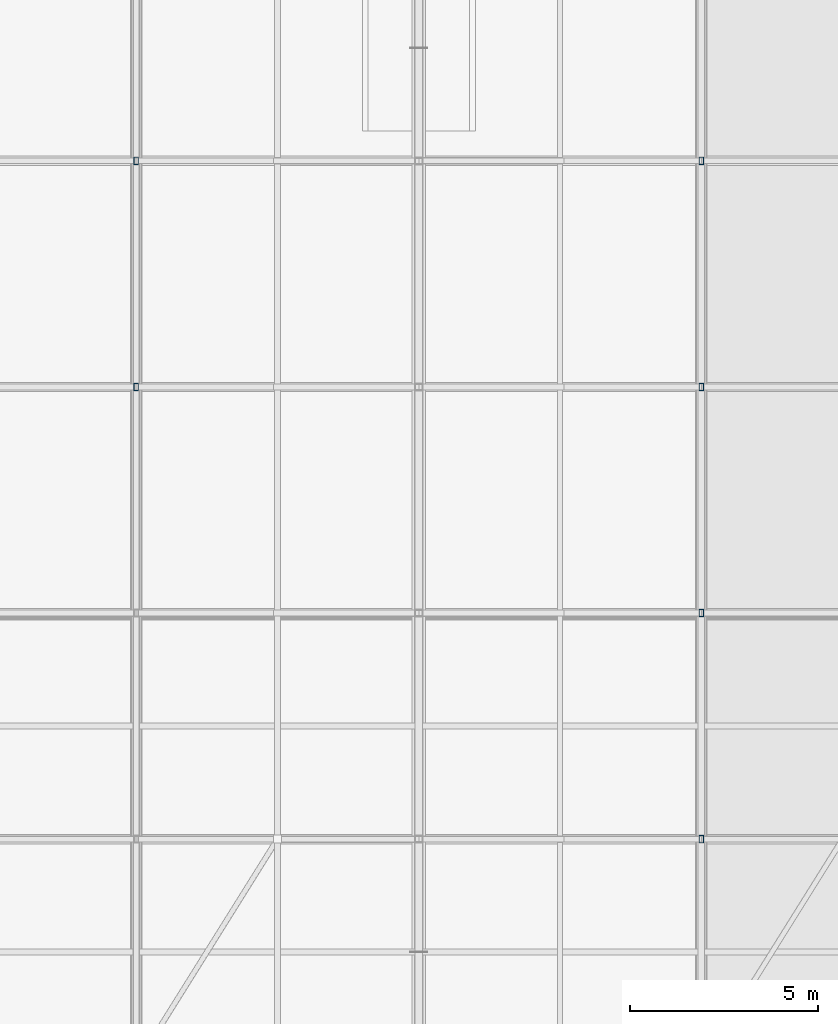
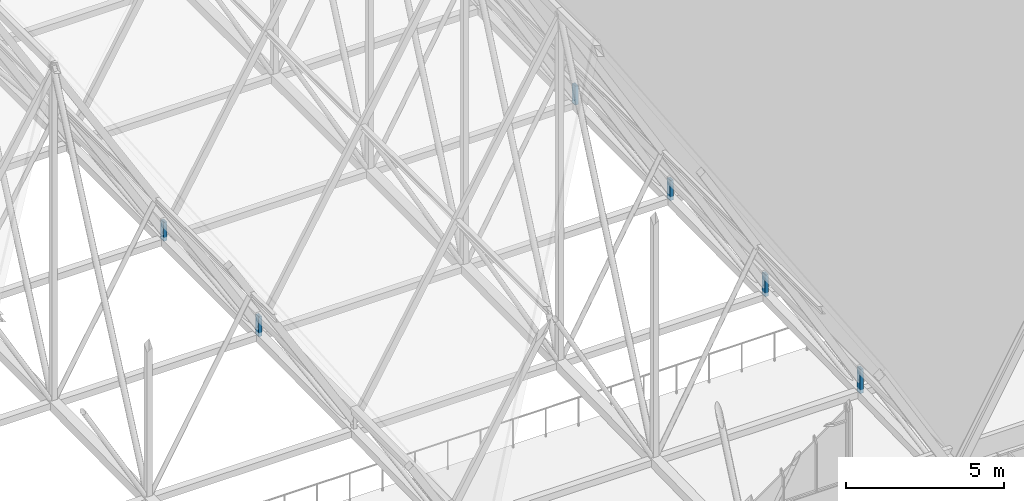
# One storey, part 249 of 324: 6 members.
"""IFC4 building model written with IfcOpenShell, lengths in metres."""

from ifc_helpers import new_model, si_unit, direction, frame, origin, origin_2d, place, context, subcontext, project, spatial, hollow_rectangle, extrude, material, material_profile, profile_set, type_object, element, save


model = new_model("IFC4")

# Units and contexts
model_context = context("Model", 3, precision=1e-05, world=origin(), true_north=direction((0.0, 1.0)))
body_context = subcontext(model_context, "Body", "Model", "MODEL_VIEW")
ifc_project = project(units=[si_unit("LENGTHUNIT", "METRE"), si_unit("AREAUNIT", "SQUARE_METRE"), si_unit("VOLUMEUNIT", "CUBIC_METRE"), si_unit("PLANEANGLEUNIT", "RADIAN"), si_unit("MASSUNIT", "GRAM", prefix="KILO")], contexts=[model_context])

# Site, building, storey
site_placement = place(None, origin())
site = spatial("IfcSite", under=ifc_project, at=site_placement, CompositionType="ELEMENT")
building_placement = place(site_placement, origin())
building = spatial("IfcBuilding", under=site, at=building_placement, Name="Solvenia Promenade Tram Depot", CompositionType="ELEMENT")
storey_placement = place(building_placement, frame((0.0, 0.0, 4.5)))
storey = spatial("IfcBuildingStorey", under=building, at=storey_placement, Name="L01", CompositionType="ELEMENT", Elevation=4.5)

# Members
ifc_material = material(Name="Structural steel ASTM A500 Gr. C", Category="steel")
ifc_material_profile = material_profile(ifc_material, hollow_rectangle(XDim=0.1201171875, YDim=0.199951171875, WallThickness=0.008056640625, at=origin_2d()), Name="HSS200x120x8", Category="steel")
ifc_profile_set = profile_set([ifc_material_profile], Name="Structural steel ASTM A500 Gr. C")
member_type = type_object("IfcMemberType", Name="Post-HSS200x120x8", PredefinedType="POST", material=ifc_profile_set)
member_1_placement = place(storey_placement, frame((45.0, 84.0, 2.614013671875), z_axis=(0.0, 0.0, 1.0), x_axis=(1.0, 0.0, 0.0)))
element("IfcMember", 1, at=member_1_placement, inside=storey, type_object=member_type, Name="Arched Truss T07 Web Post S03", PredefinedType="POST", context=body_context, shape_type="SweptSolid", body=[
    extrude(hollow_rectangle(XDim=0.1201171875, YDim=0.199951171875, WallThickness=0.008056640625, at=origin_2d()), origin(), (0.0, 0.0, 1.0), 0.765869140625),
])
member_2_placement = place(storey_placement, frame((45.0, 90.0, 2.656005859375), z_axis=(0.0, 0.0, 1.0), x_axis=(1.0, 0.0, 0.0)))
element("IfcMember", 2, at=member_2_placement, inside=storey, type_object=member_type, Name="Arched Truss T07 Web Post S04", PredefinedType="POST", context=body_context, shape_type="SweptSolid", body=[
    extrude(hollow_rectangle(XDim=0.1201171875, YDim=0.199951171875, WallThickness=0.008056640625, at=origin_2d()), origin(), (0.0, 0.0, 1.0), 0.723876953125),
])
member_3_placement = place(storey_placement, frame((60.0, 72.0, 2.446044921875), z_axis=(0.0, 0.0, 1.0), x_axis=(1.0, 0.0, 0.0)))
element("IfcMember", 3, at=member_3_placement, inside=storey, type_object=member_type, Name="Arched Truss T09 Web Post S01", PredefinedType="POST", context=body_context, shape_type="SweptSolid", body=[
    extrude(hollow_rectangle(XDim=0.1201171875, YDim=0.199951171875, WallThickness=0.008056640625, at=origin_2d()), origin(), (0.0, 0.0, 1.0), 0.933837890625),
])
member_4_placement = place(storey_placement, frame((60.0, 78.0, 2.5439453125), z_axis=(0.0, 0.0, 1.0), x_axis=(1.0, 0.0, 0.0)))
element("IfcMember", 4, at=member_4_placement, inside=storey, type_object=member_type, Name="Arched Truss T09 Web Post S02", PredefinedType="POST", context=body_context, shape_type="SweptSolid", body=[
    extrude(hollow_rectangle(XDim=0.1201171875, YDim=0.199951171875, WallThickness=0.008056640625, at=origin_2d()), origin(), (0.0, 0.0, 1.0), 0.8359375),
])
member_5_placement = place(storey_placement, frame((60.0, 84.0, 2.614013671875), z_axis=(0.0, 0.0, 1.0), x_axis=(1.0, 0.0, 0.0)))
element("IfcMember", 5, at=member_5_placement, inside=storey, type_object=member_type, Name="Arched Truss T09 Web Post S03", PredefinedType="POST", context=body_context, shape_type="SweptSolid", body=[
    extrude(hollow_rectangle(XDim=0.1201171875, YDim=0.199951171875, WallThickness=0.008056640625, at=origin_2d()), origin(), (0.0, 0.0, 1.0), 0.765869140625),
])
member_6_placement = place(storey_placement, frame((60.0, 90.0, 2.656005859375), z_axis=(0.0, 0.0, 1.0), x_axis=(1.0, 0.0, 0.0)))
element("IfcMember", 6, at=member_6_placement, inside=storey, type_object=member_type, Name="Arched Truss T09 Web Post S04", PredefinedType="POST", context=body_context, shape_type="SweptSolid", body=[
    extrude(hollow_rectangle(XDim=0.1201171875, YDim=0.199951171875, WallThickness=0.008056640625, at=origin_2d()), origin(), (0.0, 0.0, 1.0), 0.723876953125),
])

save(model, "model.ifc")
